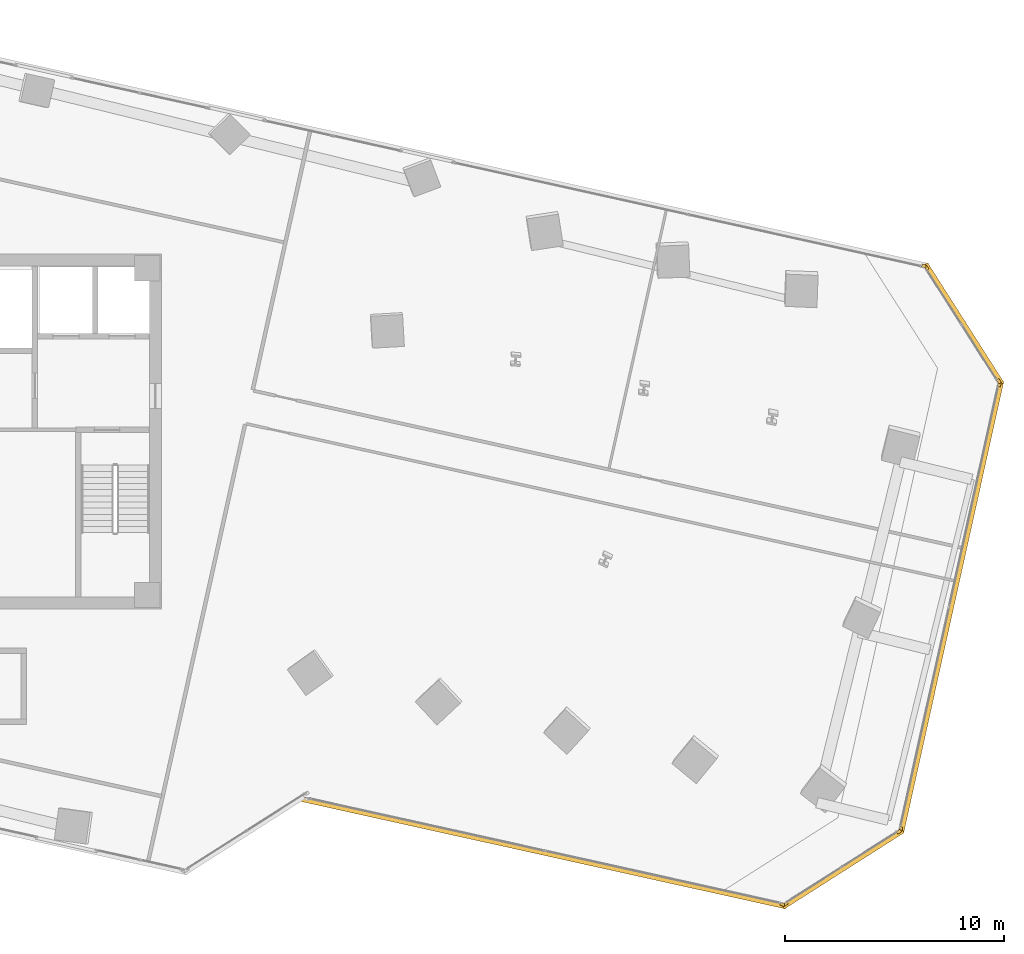
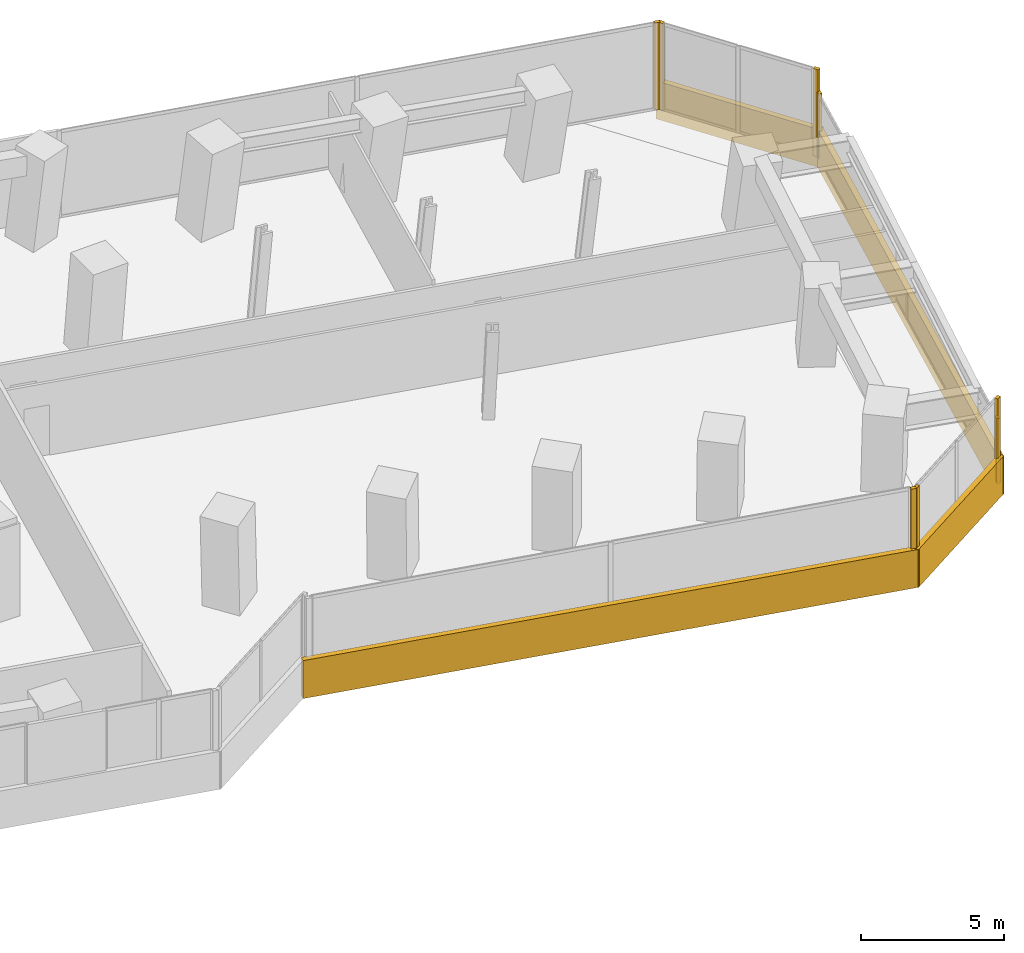
# One storey, part 24 of 25: 12 coverings.
"""IFC4 building model written with IfcOpenShell, lengths in metres."""

from ifc_helpers import new_model, si_unit, direction, frame, origin, origin_2d, place, context, subcontext, project, spatial, rectangle, extrude, source, transform, mapped, material, layer, layer_set, type_object, element, save


model = new_model("IFC4")

# Units and contexts
model_context = context("Model", 3, precision=1e-05, world=origin(), true_north=direction((0.0, 1.0)))
body_context = subcontext(model_context, "Body", "Model", "MODEL_VIEW")
ifc_project = project(units=[si_unit("LENGTHUNIT", "METRE"), si_unit("AREAUNIT", "SQUARE_METRE"), si_unit("VOLUMEUNIT", "CUBIC_METRE"), si_unit("PLANEANGLEUNIT", "RADIAN"), si_unit("MASSUNIT", "GRAM", prefix="KILO")], contexts=[model_context])

# Site, building, storey
site_placement = place(None, origin())
site = spatial("IfcSite", under=ifc_project, at=site_placement, CompositionType="ELEMENT")
building_placement = place(site_placement, origin())
building = spatial("IfcBuilding", under=site, at=building_placement, Name="Torre Montelarca", CompositionType="ELEMENT")
storey_placement = place(building_placement, frame((0.0, 0.0, 91.60009765625)))
storey = spatial("IfcBuildingStorey", under=building, at=storey_placement, Name="L20", CompositionType="ELEMENT", Elevation=91.60009765625)

# Coverings
ifc_material = material(Name="Bush-hammered warm white precast concrete C45/55", Category="concrete")
ifc_layer = layer(ifc_material, 0.139892578125, Name="Bush-hammered warm white precast concrete C45/55", Category="concrete")
ifc_layer_set = layer_set([ifc_layer], Name="Bush-hammered warm white precast concrete C45/55")
covering_type = type_object("IfcCoveringType", Name="COV-TRAY-CLAD", PredefinedType="CLADDING", material=ifc_layer_set)
shared_shape_1 = source(origin(), body_context, "Body", "SweptSolid", [
    extrude(rectangle(XDim=6.48388671875, YDim=0.219970703125, at=origin_2d()), origin(), (0.0, 0.0, 1.0), 1.6201171875),
])
for number, where, z_axis, x_axis, name in (
    (1, (58.182373046875, 12.05908203125, -0.4501953125), (0.0, 0.0, 1.0), (0.843395196851, 0.537293720351, 0.0), "L20 Architectural White Spandrel Tray Band TRYBOT-05"),
    (2, (63.6923828125, 36.9130859375, -0.4501953125), (0.0, 0.0, 1.0), (-0.537305496317, 0.843387694733, 0.0), "L20 Architectural White Spandrel Tray Band TRYBOT-07"),
):
    element("IfcCovering", number, at=place(storey_placement, frame(where, z_axis=z_axis, x_axis=x_axis)), inside=storey, type_object=covering_type, Name=name, PredefinedType="CLADDING", context=body_context, shape_type="MappedRepresentation", body=[
        mapped(shared_shape_1, transform((0.0, 0.0, 0.0), scale=1.0)),
    ])
shared_shape_2 = source(origin(), body_context, "Body", "SweptSolid", [
    extrude(rectangle(XDim=22.6201171875, YDim=0.219970703125, at=origin_2d()), origin(), (0.0, 0.0, 1.0), 1.6201171875),
])
covering_1_placement = place(storey_placement, frame((44.537841796875, 12.788330078125, -0.4501953125), z_axis=(0.0, 0.0, 1.0), x_axis=(0.976296762631, -0.216436206021, 0.0)))
element("IfcCovering", 3, at=covering_1_placement, inside=storey, type_object=covering_type, Name="L20 Architectural White Spandrel Tray Band TRYBOT-04", PredefinedType="CLADDING", context=body_context, shape_type="MappedRepresentation", body=[
    mapped(shared_shape_2, transform((0.0, 0.0, 0.0), scale=1.0)),
])
shared_shape_3 = source(origin(), body_context, "Body", "SweptSolid", [
    extrude(rectangle(XDim=21.1201171875, YDim=0.219970703125, at=origin_2d()), origin(), (0.0, 0.0, 1.0), 1.6201171875),
])
covering_2_placement = place(storey_placement, frame((63.12548828125, 24.0009765625, -0.4501953125), z_axis=(0.0, 0.0, 1.0), x_axis=(0.21643790998, 0.976296384877, 0.0)))
element("IfcCovering", 4, at=covering_2_placement, inside=storey, type_object=covering_type, Name="L20 Architectural White Spandrel Tray Band TRYBOT-06", PredefinedType="CLADDING", context=body_context, shape_type="MappedRepresentation", body=[
    mapped(shared_shape_3, transform((0.0, 0.0, 0.0), scale=1.0)),
])
shared_shape_4 = source(origin(), body_context, "Body", "SweptSolid", [
    extrude(rectangle(XDim=0.199951171875, YDim=0.139892578125, at=origin_2d()), origin(), (0.0, 0.0, 1.0), 3.719970703125),
])
for number, where, z_axis, x_axis, name in (
    (5, (55.421142578125, 10.43701171875, 0.0), (0.0, 0.0, 1.0), (0.97629751813, -0.216432798101, 0.0), "L20 Architectural Column Pier Cladding E04-2"),
    (6, (55.564208984375, 10.462158203125, 0.0), (0.0, 0.0, 1.0), (0.843389570278, 0.537302552335, 0.0), "L20 Architectural Column Pier Cladding E05-1"),
    (7, (60.736083984375, 13.757080078125, 0.0), (0.0, 0.0, 1.0), (0.843389570278, 0.537302552335, 0.0), "L20 Architectural Column Pier Cladding E05-2"),
    (8, (65.289306640625, 34.294921875, 0.0), (0.0, 0.0, 1.0), (-0.537314328223, 0.843382068037, 0.0), "L20 Architectural Column Pier Cladding E07-1"),
    (9, (61.994140625, 39.466796875, 0.0), (0.0, 0.0, 1.0), (-0.537314328223, 0.843382068037, 0.0), "L20 Architectural Column Pier Cladding E07-2"),
    (10, (61.875244140625, 39.550048828125, 0.0), (0.0, 0.0, 1.0), (-0.97629600712, 0.216439613938, 0.0), "L20 Architectural Column Pier Cladding E08-1"),
):
    element("IfcCovering", number, at=place(storey_placement, frame(where, z_axis=z_axis, x_axis=x_axis)), inside=storey, type_object=covering_type, Name=name, PredefinedType="CLADDING", context=body_context, shape_type="MappedRepresentation", body=[
        mapped(shared_shape_4, transform((0.0, 0.0, 0.0), scale=1.0)),
    ])
shared_shape_5 = source(origin(), body_context, "Body", "SweptSolid", [
    extrude(rectangle(XDim=0.199951171875, YDim=0.139892578125, at=origin_2d()), origin(), (0.0, 0.0, 1.0), 2.77490234375),
])
for number, where, z_axis, x_axis, name in (
    (11, (60.8193359375, 13.8759765625, 0.0), (0.0, 0.0, 1.0), (0.21643790998, 0.976296384877, 0.0), "L20 Architectural Column Pier Cladding E06-1"),
    (12, (65.314208984375, 34.152099609375, 0.0), (0.0, 0.0, 1.0), (0.21643790998, 0.976296384877, 0.0), "L20 Architectural Column Pier Cladding E06-2"),
):
    element("IfcCovering", number, at=place(storey_placement, frame(where, z_axis=z_axis, x_axis=x_axis)), inside=storey, type_object=covering_type, Name=name, PredefinedType="CLADDING", context=body_context, shape_type="MappedRepresentation", body=[
        mapped(shared_shape_5, transform((0.0, 0.0, 0.0), scale=1.0)),
    ])

save(model, "model.ifc")
